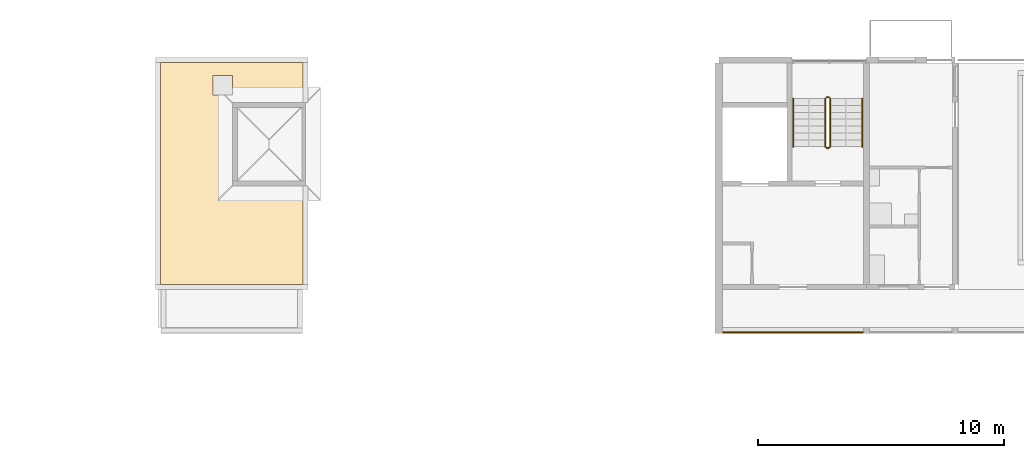
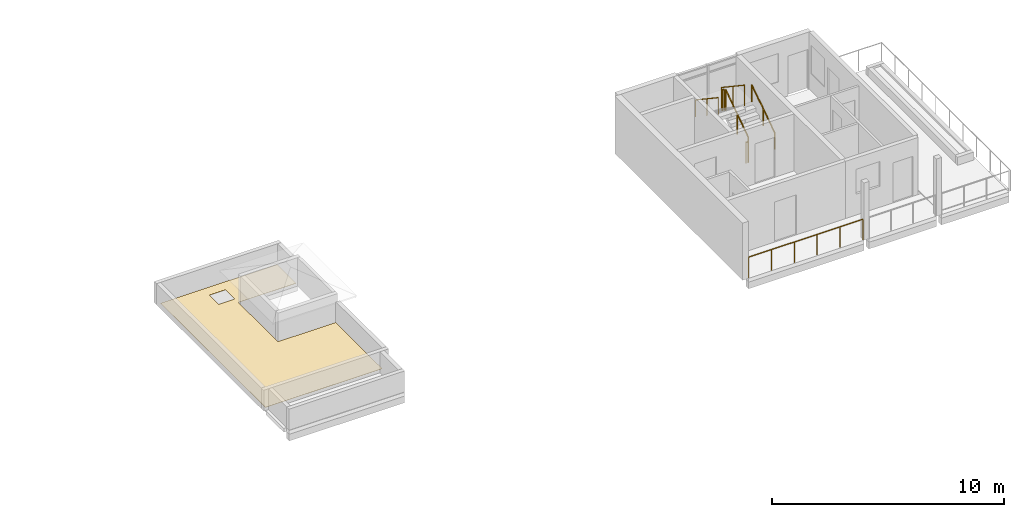
# One storey, part 57 of 64: 7 railings, 1 covering.
"""IFC4 building model written with IfcOpenShell, lengths in metres."""

from ifc_helpers import new_model, si_unit, direction, frame, origin, origin_2d, place, context, subcontext, project, spatial, polyline, circle, outline, extrude, material, layer, layer_set, type_object, element, save


model = new_model("IFC4")

# Units and contexts
model_context = context("Model", 3, precision=1e-05, world=origin(), true_north=direction((0.0, 1.0)))
body_context = subcontext(model_context, "Body", "Model", "MODEL_VIEW")
ifc_project = project(units=[si_unit("LENGTHUNIT", "METRE"), si_unit("AREAUNIT", "SQUARE_METRE"), si_unit("VOLUMEUNIT", "CUBIC_METRE"), si_unit("PLANEANGLEUNIT", "RADIAN"), si_unit("MASSUNIT", "GRAM", prefix="KILO")], contexts=[model_context])

# Site, building, storey
site_placement = place(None, origin())
site = spatial("IfcSite", under=ifc_project, at=site_placement, CompositionType="ELEMENT")
building_placement = place(site_placement, origin())
building = spatial("IfcBuilding", under=site, at=building_placement, Name="Ridgestep Commons", CompositionType="ELEMENT")
storey_placement = place(building_placement, frame((0.0, 0.0, 33.0)))
storey = spatial("IfcBuildingStorey", under=building, at=storey_placement, Name="L11", CompositionType="ELEMENT", Elevation=33.0)

# Railing
ifc_material_1 = material(Name="Structural steel S355JR", Category="steel")
railing_type_1 = type_object("IfcRailingType", Name="Guard 1100", PredefinedType="GUARDRAIL", material=ifc_material_1)
railing_1_placement = place(storey_placement, frame((180.571044921875, 66.050048828125, 0.0)))
element("IfcRailing", 1, at=railing_1_placement, inside=storey, type_object=railing_type_1, Name="Gallery guard C 11.1", PredefinedType="GUARDRAIL", context=body_context, shape_type="SweptSolid", body=[
    extrude(circle(Radius=0.02392578125, at=origin_2d()), frame((0.0, 0.0, 1.076171875), z_axis=(1.0, 0.0, 0.0), x_axis=(0.0, 1.0, 0.0)), (0.0, 0.0, 1.0), 5.682861328125),
    extrude(circle(Radius=0.02099609375, at=origin_2d()), origin(), (0.0, 0.0, 1.0), 1.052001953125),
    extrude(circle(Radius=0.02099609375, at=origin_2d()), frame((1.136474609375, 0.0, 0.0)), (0.0, 0.0, 1.0), 1.052001953125),
    extrude(circle(Radius=0.02099609375, at=origin_2d()), frame((2.273193359375, 0.0, 0.0)), (0.0, 0.0, 1.0), 1.052001953125),
    extrude(circle(Radius=0.02099609375, at=origin_2d()), frame((3.40966796875, 0.0, 0.0)), (0.0, 0.0, 1.0), 1.052001953125),
    extrude(circle(Radius=0.02099609375, at=origin_2d()), frame((4.54638671875, 0.0, 0.0)), (0.0, 0.0, 1.0), 1.052001953125),
    extrude(circle(Radius=0.02099609375, at=origin_2d()), frame((5.682861328125, 0.0, 0.0)), (0.0, 0.0, 1.0), 1.052001953125),
])

# Covering
ifc_material_2 = material(Name="Bitumen membrane, two layer")
ifc_layer = layer(ifc_material_2, 0.011962890625)
ifc_layer_set = layer_set([ifc_layer], Name="Roof membrane 12")
covering_type = type_object("IfcCoveringType", Name="Roof membrane 12", PredefinedType="ROOFING", material=ifc_layer_set)
covering_placement = place(storey_placement, origin())
element("IfcCovering", 2, at=covering_placement, inside=storey, type_object=covering_type, Name="Roof membrane C1C", PredefinedType="ROOFING", context=body_context, shape_type="SweptSolid", body=[
    extrude(outline(polyline([(157.699951171875, 68.0), (157.699951171875, 77.02490234375), (163.5, 77.02490234375), (163.5, 75.39990234375), (160.625, 75.39990234375), (160.625, 72.0), (163.5, 72.0), (163.5, 68.0), (157.699951171875, 68.0)]), holes=[polyline([(160.625, 76.5), (159.824951171875, 76.5), (159.824951171875, 75.699951171875), (160.625, 75.699951171875), (160.625, 76.5)])]), origin(), (0.0, 0.0, 1.0), 0.011962890625),
])

# Railings
ifc_material_3 = material(Name="Structural steel S355JR", Category="steel")
railing_type_2 = type_object("IfcRailingType", Name="Stair guard 1100", PredefinedType="GUARDRAIL", material=ifc_material_3)
railing_2_placement = place(storey_placement, frame((184.925048828125, 73.60009765625, 0.1875)))
element("IfcRailing", 3, at=railing_2_placement, inside=storey, type_object=railing_type_2, Name="L11 C3C stair guard 1", PredefinedType="GUARDRAIL", context=body_context, shape_type="SweptSolid", body=[
    extrude(circle(Radius=0.02392578125, at=origin_2d()), frame((0.0, 0.0, 1.076171875), z_axis=(0.0, 0.830902050051, 0.556418712142), x_axis=(-1.0, 0.0, 0.0)), (0.0, 0.0, 1.0), 2.35888671875),
    extrude(circle(Radius=0.02099609375, at=origin_2d()), origin(), (0.0, 0.0, 1.0), 1.052001953125),
    extrude(circle(Radius=0.02099609375, at=origin_2d()), frame((0.0, 0.97998046875, 0.65625)), (0.0, 0.0, 1.0), 1.052001953125),
    extrude(circle(Radius=0.02099609375, at=origin_2d()), frame((0.0, 1.9599609375, 1.3125)), (0.0, 0.0, 1.0), 1.052001953125),
])
railing_3_placement = place(storey_placement, frame((184.875, 75.610107421875, 1.5)))
element("IfcRailing", 4, at=railing_3_placement, inside=storey, type_object=railing_type_2, Name="L11 C3C stair guard 2", PredefinedType="GUARDRAIL", context=body_context, shape_type="SweptSolid", body=[
    extrude(circle(Radius=0.02392578125, at=origin_2d()), frame((0.0, 0.0, 1.076171875), z_axis=(-1.0, 0.0, 0.0), x_axis=(0.0, -1.0, 0.0)), (0.0, 0.0, 1.0), 0.10009765625),
    extrude(circle(Radius=0.02099609375, at=origin_2d()), origin(), (0.0, 0.0, 1.0), 1.052001953125),
    extrude(circle(Radius=0.02099609375, at=origin_2d()), frame((-0.10009765625, 0.0, 0.0)), (0.0, 0.0, 1.0), 1.052001953125),
])
railing_4_placement = place(storey_placement, frame((184.72509765625, 75.56005859375, 1.6875)))
element("IfcRailing", 5, at=railing_4_placement, inside=storey, type_object=railing_type_2, Name="L11 C3C stair guard 3", PredefinedType="GUARDRAIL", context=body_context, shape_type="SweptSolid", body=[
    extrude(circle(Radius=0.02392578125, at=origin_2d()), frame((0.0, 0.0, 1.076171875), z_axis=(0.0, -0.830902050051, 0.556418712142), x_axis=(1.0, 0.0, 0.0)), (0.0, 0.0, 1.0), 2.35888671875),
    extrude(circle(Radius=0.02099609375, at=origin_2d()), origin(), (0.0, 0.0, 1.0), 1.052001953125),
    extrude(circle(Radius=0.02099609375, at=origin_2d()), frame((0.0, -0.97998046875, 0.65625)), (0.0, 0.0, 1.0), 1.052001953125),
    extrude(circle(Radius=0.02099609375, at=origin_2d()), frame((0.0, -1.9599609375, 1.3125)), (0.0, 0.0, 1.0), 1.052001953125),
])
railing_5_placement = place(storey_placement, frame((184.875, 73.550048828125, 0.0)))
element("IfcRailing", 6, at=railing_5_placement, inside=storey, type_object=railing_type_2, Name="L11 C3C stair guard 4", PredefinedType="GUARDRAIL", context=body_context, shape_type="SweptSolid", body=[
    extrude(circle(Radius=0.02392578125, at=origin_2d()), frame((0.0, 0.0, 1.076171875), z_axis=(-1.0, 0.0, 0.0), x_axis=(0.0, -1.0, 0.0)), (0.0, 0.0, 1.0), 0.10009765625),
    extrude(circle(Radius=0.02099609375, at=origin_2d()), origin(), (0.0, 0.0, 1.0), 1.052001953125),
    extrude(circle(Radius=0.02099609375, at=origin_2d()), frame((-0.10009765625, 0.0, 0.0)), (0.0, 0.0, 1.0), 1.052001953125),
])
ifc_material_4 = material(Name="Structural steel S355JR", Category="steel")
railing_type_3 = type_object("IfcRailingType", Name="Stair handrail 900", PredefinedType="HANDRAIL", material=ifc_material_4)
railing_6_placement = place(storey_placement, frame((186.22509765625, 73.60009765625, 0.1875)))
element("IfcRailing", 7, at=railing_6_placement, inside=storey, type_object=railing_type_3, Name="L11 C3C stair handrail 1", PredefinedType="HANDRAIL", context=body_context, shape_type="SweptSolid", body=[
    extrude(circle(Radius=0.02392578125, at=origin_2d()), frame((0.0, 0.0, 0.8759765625), z_axis=(0.0, 0.830902050051, 0.556418712142), x_axis=(-1.0, 0.0, 0.0)), (0.0, 0.0, 1.0), 2.35888671875),
    extrude(circle(Radius=0.02099609375, at=origin_2d()), origin(), (0.0, 0.0, 1.0), 0.851806640625),
    extrude(circle(Radius=0.02099609375, at=origin_2d()), frame((0.0, 0.97998046875, 0.65625)), (0.0, 0.0, 1.0), 0.851806640625),
    extrude(circle(Radius=0.02099609375, at=origin_2d()), frame((0.0, 1.9599609375, 1.3125)), (0.0, 0.0, 1.0), 0.851806640625),
])
railing_7_placement = place(storey_placement, frame((183.425048828125, 75.56005859375, 1.6875)))
element("IfcRailing", 8, at=railing_7_placement, inside=storey, type_object=railing_type_3, Name="L11 C3C stair handrail 2", PredefinedType="HANDRAIL", context=body_context, shape_type="SweptSolid", body=[
    extrude(circle(Radius=0.02392578125, at=origin_2d()), frame((0.0, 0.0, 0.8759765625), z_axis=(0.0, -0.830902050051, 0.556418712142), x_axis=(1.0, 0.0, 0.0)), (0.0, 0.0, 1.0), 2.35888671875),
    extrude(circle(Radius=0.02099609375, at=origin_2d()), origin(), (0.0, 0.0, 1.0), 0.851806640625),
    extrude(circle(Radius=0.02099609375, at=origin_2d()), frame((0.0, -0.97998046875, 0.65625)), (0.0, 0.0, 1.0), 0.851806640625),
    extrude(circle(Radius=0.02099609375, at=origin_2d()), frame((0.0, -1.9599609375, 1.3125)), (0.0, 0.0, 1.0), 0.851806640625),
])

save(model, "model.ifc")
